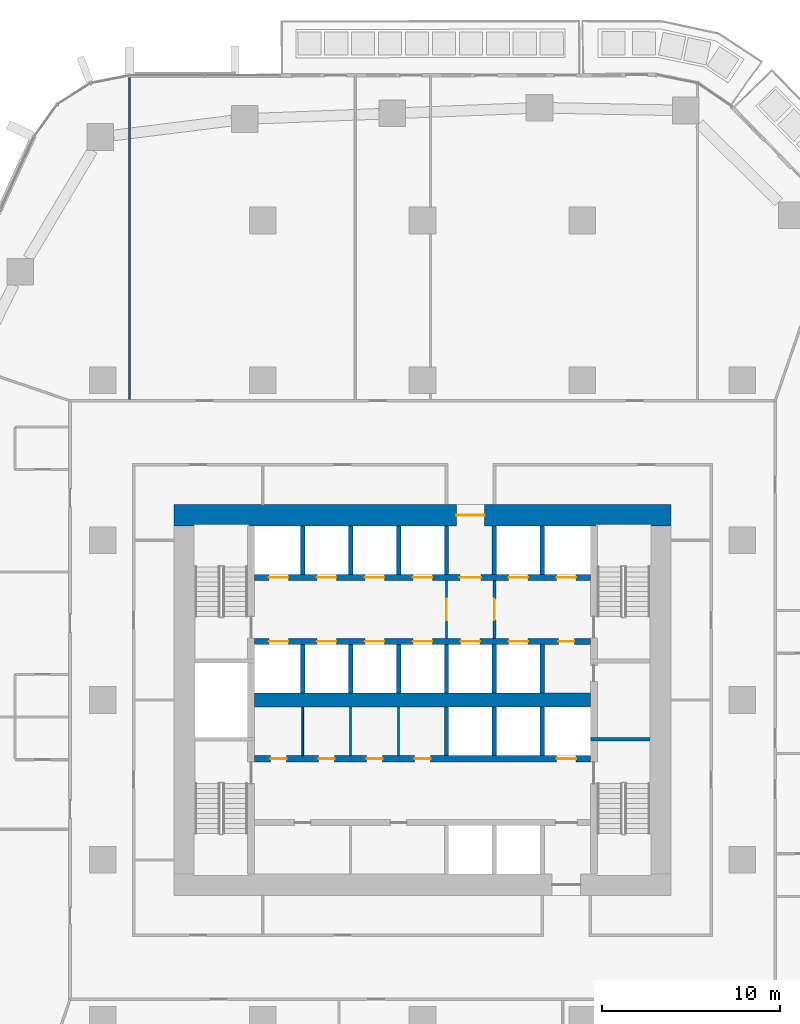
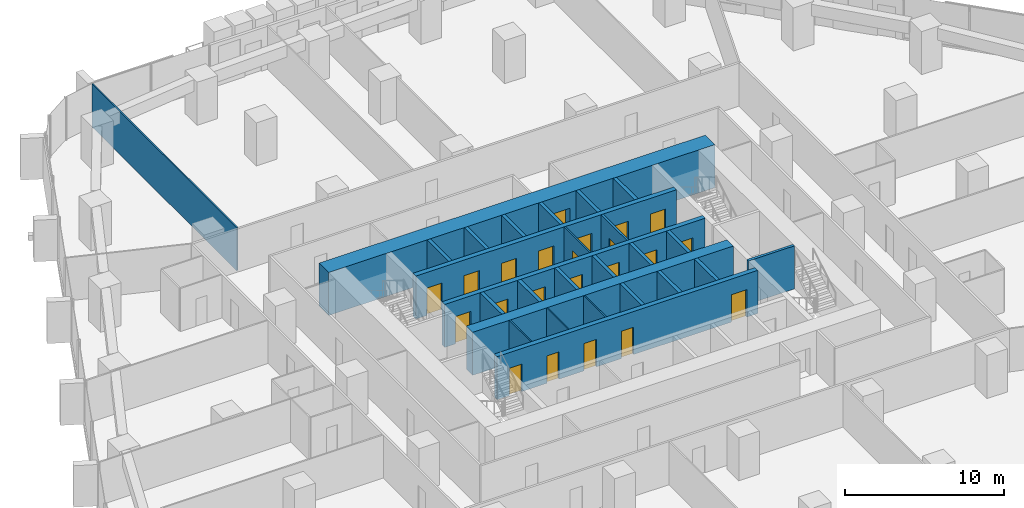
# One storey, part 15 of 26: 27 walls, 22 doors, 22 openings.
"""IFC4 building model written with IfcOpenShell, lengths in metres."""

import ifcopenshell
import ifcopenshell.guid

model = None  # the IFC model being written
_history = None  # IfcOwnerHistory: only IFC2X3 demands one
_inside = {}  # id of a spatial element -> (the spatial element, [elements in it])
_under = {}  # id of a project, library or spatial element -> (it, [spatial elements below it])
_declared = {}  # id of a project -> (the project, [libraries it declares])
_typed = {}  # id of a type object -> (the type object, [elements of that type])
_made_of = {}  # id of a material, layer set ... -> (it, [elements and type objects made of it])


def new_model(schema):
    """Start an empty IFC model of exactly this schema.

    Asked for "IFC4X3", IfcOpenShell would pick the latest addendum, in which some entities
    have other attributes; the version numbers below select the first issue.
    IFC2X3 requires an IfcOwnerHistory on every rooted entity: one is made here for all.
    """
    global model, _history
    if schema == "IFC4X3":
        model = ifcopenshell.file(schema_version=(4, 3, 0, 0))
    else:
        model = ifcopenshell.file(schema=schema)
    _inside.clear()
    _under.clear()
    _declared.clear()
    _typed.clear()
    _made_of.clear()
    _history = None
    if model.schema == "IFC2X3":
        org = make("IfcOrganization", Name="unknown")
        user = make(
            "IfcPersonAndOrganization",
            ThePerson=make("IfcPerson", FamilyName="unknown"),
            TheOrganization=org,
        )
        app = make(
            "IfcApplication",
            ApplicationDeveloper=org,
            Version="unknown",
            ApplicationFullName="unknown",
            ApplicationIdentifier="unknown",
        )
        _history = make(
            "IfcOwnerHistory",
            OwningUser=user,
            OwningApplication=app,
            ChangeAction="ADDED",
            CreationDate=0,
        )
    return model


def make(cls, **values):
    """One entity of the class cls with the attributes given. An attribute that is None is left unset."""
    return model.create_entity(
        cls, **{name: value for name, value in values.items() if value is not None}
    )


def rooted(cls, **values):
    """An entity with a GlobalId (a new one), such as an element, a storey or a relation."""
    return make(cls, GlobalId=ifcopenshell.guid.new(), OwnerHistory=_history, **values)


def si_unit(unit_type, name, prefix=None):
    """IfcSIUnit, for example si_unit("LENGTHUNIT", "METRE", prefix="MILLI")."""
    return make("IfcSIUnit", UnitType=unit_type, Prefix=prefix, Name=name)


def assignment(units):
    """IfcUnitAssignment: the units of a project."""
    return None if units is None else make("IfcUnitAssignment", Units=units)


def point(xyz):
    """IfcCartesianPoint."""
    return None if xyz is None else make("IfcCartesianPoint", Coordinates=xyz)


def direction(xyz):
    """IfcDirection."""
    return None if xyz is None else make("IfcDirection", DirectionRatios=xyz)


def frame(location, z_axis=None, x_axis=None):
    """IfcAxis2Placement3D, a coordinate frame: its origin and axes. An axis left out is left unset."""
    return make(
        "IfcAxis2Placement3D",
        Location=point(location),
        Axis=direction(z_axis),
        RefDirection=direction(x_axis),
    )


def frame_2d(location, x_axis=None):
    """IfcAxis2Placement2D, a coordinate frame in the plane: its origin and x axis."""
    return make(
        "IfcAxis2Placement2D", Location=point(location), RefDirection=direction(x_axis)
    )


def origin():
    """The frame at (0, 0, 0) with its axes left unset."""
    return frame((0.0, 0.0, 0.0))


def place(relative_to, where):
    """IfcLocalPlacement: puts the frame where relative to a parent placement (None: the world)."""
    return make(
        "IfcLocalPlacement", PlacementRelTo=relative_to, RelativePlacement=where
    )


def context(
    kind, dimensions, precision=None, world=None, true_north=None, identifier=None
):
    """IfcGeometricRepresentationContext, for example the 3D "Model" context."""
    return make(
        "IfcGeometricRepresentationContext",
        ContextIdentifier=identifier,
        ContextType=kind,
        CoordinateSpaceDimension=dimensions,
        Precision=precision,
        WorldCoordinateSystem=world,
        TrueNorth=true_north,
    )


def subcontext(parent, identifier, kind, view, scale=None):
    """IfcGeometricRepresentationSubContext, for example "Body" below "Model"."""
    return make(
        "IfcGeometricRepresentationSubContext",
        ContextIdentifier=identifier,
        ContextType=kind,
        ParentContext=parent,
        TargetScale=scale,
        TargetView=view,
    )


def project(units=None, contexts=None):
    """IfcProject with its units and contexts."""
    return rooted(
        "IfcProject",
        Name="project",
        RepresentationContexts=contexts,
        UnitsInContext=assignment(units),
    )


def spatial(cls, under=None, at=None, **own):
    """A site, building, storey or space (cls), placed at a placement, below another one or the project."""
    s = rooted(cls, ObjectPlacement=at, **own)
    if under is not None:
        _under.setdefault(under.id(), (under, []))[1].append(s)
    return s


def profile(cls, at=None, kind="AREA", **sizes):
    """A parametric profile (cls). Its sizes go by their IFC names, for example OverallWidth=200.0."""
    return make(cls, ProfileType=kind, Position=at, **sizes)


def rectangle(**sizes):
    """IfcRectangleProfileDef."""
    return profile("IfcRectangleProfileDef", **sizes)


def extrude(swept, where, along, depth):
    """IfcExtrudedAreaSolid: the profile swept, set in the frame where, extruded along a direction by depth."""
    return make(
        "IfcExtrudedAreaSolid",
        SweptArea=swept,
        Position=where,
        ExtrudedDirection=direction(along),
        Depth=depth,
    )


def shape(context_of_items, identifier, shape_type, items):
    """IfcShapeRepresentation: the items that make up one representation, for example the "Body"."""
    return make(
        "IfcShapeRepresentation",
        ContextOfItems=context_of_items,
        RepresentationIdentifier=identifier,
        RepresentationType=shape_type,
        Items=items,
    )


def material(Name=None, Category=None):
    """IfcMaterial."""
    return make("IfcMaterial", Name=Name, Category=Category)


def layer(
    of_material, thickness, ventilated=None, Name=None, Category=None, Priority=None
):
    """IfcMaterialLayer: one layer of a wall or slab, of a material (None: an air gap)."""
    return make(
        "IfcMaterialLayer",
        Material=of_material,
        LayerThickness=thickness,
        IsVentilated=ventilated,
        Name=Name,
        Category=Category,
        Priority=Priority,
    )


def layer_set(layers, Name=None):
    """IfcMaterialLayerSet."""
    return make("IfcMaterialLayerSet", MaterialLayers=layers, LayerSetName=Name)


def made_of(thing, what):
    """Note that an element or type object is made of a material, layer set ...; save() writes the relation."""
    if what is not None:
        _made_of.setdefault(what.id(), (what, []))[1].append(thing)
    return thing


def type_object(cls, material=None, **own):
    """A type object (cls), such as IfcWallType, which elements share."""
    return made_of(rooted(cls, **own), material)


def element(
    cls,
    number,
    at=None,
    inside=None,
    cuts=None,
    type_object=None,
    material=None,
    context=None,
    identifier="Body",
    shape_type=None,
    held_by="IfcProductDefinitionShape",
    body=None,
    shapes=None,
    **own,
):
    """One element of the class cls, such as IfcWall. Its Tag is "e" and its number.

    at: its placement. inside: the storey or other place that contains it. cuts: it is an
    opening in that element (IfcRelVoidsElement). A single representation is given by context,
    identifier, shape_type and body (its items); several are given by shapes. held_by: the class
    of the entity that holds the representations. save() writes the other relations.
    """
    e = rooted(cls, Tag="e%d" % number, ObjectPlacement=at, **own)
    if body is not None:
        shapes = [shape(context, identifier, shape_type, body)]
    if shapes is not None:
        e.Representation = make(held_by, Representations=shapes)
    if inside is not None:
        _inside.setdefault(inside.id(), (inside, []))[1].append(e)
    if cuts is not None:
        rooted(
            "IfcRelVoidsElement", RelatingBuildingElement=cuts, RelatedOpeningElement=e
        )
    if type_object is not None:
        _typed.setdefault(type_object.id(), (type_object, []))[1].append(e)
    return made_of(e, material)


def fill(opening, filler):
    """IfcRelFillsElement: the door or window that sits in an opening."""
    return rooted(
        "IfcRelFillsElement",
        RelatingOpeningElement=opening,
        RelatedBuildingElement=filler,
    )


def aggregate(whole, parts):
    """IfcRelAggregates: a whole, such as a stair, and the parts it consists of."""
    return rooted("IfcRelAggregates", RelatingObject=whole, RelatedObjects=parts)


def save(model, path):
    """Write the relations noted so far, then the file.

    IfcRelAggregates (storeys below a building ...), IfcRelContainedInSpatialStructure (elements
    in a storey), IfcRelDefinesByType, IfcRelAssociatesMaterial and IfcRelDeclares: one each for
    every whole, place, type object, material and project.
    """
    for whole, parts in _under.values():
        aggregate(whole, parts)
    for where, things in _inside.values():
        rooted(
            "IfcRelContainedInSpatialStructure",
            RelatedElements=things,
            RelatingStructure=where,
        )
    for kind, things in _typed.values():
        rooted("IfcRelDefinesByType", RelatedObjects=things, RelatingType=kind)
    for what, things in _made_of.values():
        rooted("IfcRelAssociatesMaterial", RelatedObjects=things, RelatingMaterial=what)
    for by, libraries in _declared.values():
        rooted("IfcRelDeclares", RelatingContext=by, RelatedDefinitions=libraries)
    model.write(path)


model = new_model("IFC4")

# Units and contexts
model_context = context("Model", 3, precision=1e-05, world=origin(), true_north=direction((0.0, 1.0)))
body_context = subcontext(model_context, "Body", "Model", "MODEL_VIEW")
ifc_project = project(units=[si_unit("LENGTHUNIT", "METRE"), si_unit("AREAUNIT", "SQUARE_METRE"), si_unit("VOLUMEUNIT", "CUBIC_METRE"), si_unit("PLANEANGLEUNIT", "RADIAN"), si_unit("MASSUNIT", "GRAM", prefix="KILO")], contexts=[model_context])

# Site, building, storey
site_placement = place(None, origin())
site = spatial("IfcSite", under=ifc_project, at=site_placement, CompositionType="ELEMENT")
building_placement = place(site_placement, origin())
building = spatial("IfcBuilding", under=site, at=building_placement, Name="Dongbaek Canopy Tower", CompositionType="ELEMENT")
storey_placement = place(building_placement, frame((0.0, 0.0, 69.89990234375)))
storey = spatial("IfcBuildingStorey", under=building, at=storey_placement, Name="L13", CompositionType="ELEMENT", Elevation=69.89990234375)

# Wall
ifc_material_1 = material(Name="Concrete C60/75", Category="concrete")
ifc_layer_1 = layer(ifc_material_1, 0.800048828125)
ifc_layer_set_1 = layer_set([ifc_layer_1], Name="Core central wall 800 Concrete C60/75")
wall_type_1 = type_object("IfcWallType", Name="Core central wall 800 Concrete C60/75", PredefinedType="SHEAR", material=ifc_layer_set_1)
wall_1_placement = place(storey_placement, frame((-9.449951171875, 0.0, 0.0), z_axis=(0.0, 0.0, 1.0), x_axis=(1.0, 0.0, 0.0)))
element("IfcWall", 1, at=wall_1_placement, inside=storey, type_object=wall_type_1, Name="Core wall", PredefinedType="SHEAR", context=body_context, shape_type="SweptSolid", body=[
    extrude(rectangle(XDim=18.89990234375, YDim=0.800048828125, at=frame_2d((9.449951171875, 0.0))), origin(), (0.0, 0.0, 1.0), 3.300048828125),
])

# Wall, openings, doors
ifc_material_2 = material(Name="Concrete C60/75", Category="concrete")
ifc_layer_2 = layer(ifc_material_2, 0.35009765625)
ifc_layer_set_2 = layer_set([ifc_layer_2], Name="Core lobby wall 350 Concrete C60/75")
wall_type_2 = type_object("IfcWallType", Name="Core lobby wall 350 Concrete C60/75", PredefinedType="SHEAR", material=ifc_layer_set_2)
wall_2_placement = place(storey_placement, frame((-9.449951171875, 6.89990234375, 0.0), z_axis=(0.0, 0.0, 1.0), x_axis=(1.0, 0.0, 0.0)))
wall_2 = element("IfcWall", 2, at=wall_2_placement, inside=storey, type_object=wall_type_2, Name="Core wall", PredefinedType="SHEAR", context=body_context, shape_type="SweptSolid", body=[
    extrude(rectangle(XDim=18.89990234375, YDim=0.35009765625, at=frame_2d((9.449951171875, 0.0))), origin(), (0.0, 0.0, 1.0), 3.300048828125),
])
opening_1_placement = place(wall_2_placement, frame((0.800048828125, 0.0, 0.0)))
opening_1 = element("IfcOpeningElement", 3, at=opening_1_placement, cuts=wall_2, Name="Opening L13-D028", PredefinedType="OPENING", context=body_context, shape_type="SweptSolid", body=[
    extrude(rectangle(XDim=1.10009765625, YDim=2.10009765625, at=frame_2d((0.550048828125, 1.050048828125))), frame((0.0, 0.18505859375, 0.0), z_axis=(0.0, -1.0, 0.0), x_axis=(1.0, 0.0, 0.0)), (0.0, 0.0, 1.0), 0.3701171875),
])
opening_2_placement = place(wall_2_placement, frame((3.5, 0.0, 0.0)))
opening_2 = element("IfcOpeningElement", 4, at=opening_2_placement, cuts=wall_2, Name="Opening L13-D029", PredefinedType="OPENING", context=body_context, shape_type="SweptSolid", body=[
    extrude(rectangle(XDim=1.10009765625, YDim=2.10009765625, at=frame_2d((0.550048828125, 1.050048828125))), frame((0.0, 0.18505859375, 0.0), z_axis=(0.0, -1.0, 0.0), x_axis=(1.0, 0.0, 0.0)), (0.0, 0.0, 1.0), 0.3701171875),
])
opening_3_placement = place(wall_2_placement, frame((6.199951171875, 0.0, 0.0)))
opening_3 = element("IfcOpeningElement", 5, at=opening_3_placement, cuts=wall_2, Name="Opening L13-D030", PredefinedType="OPENING", context=body_context, shape_type="SweptSolid", body=[
    extrude(rectangle(XDim=1.10009765625, YDim=2.10009765625, at=frame_2d((0.550048828125, 1.050048828125))), frame((0.0, 0.18505859375, 0.0), z_axis=(0.0, -1.0, 0.0), x_axis=(1.0, 0.0, 0.0)), (0.0, 0.0, 1.0), 0.3701171875),
])
opening_4_placement = place(wall_2_placement, frame((8.89990234375, 0.0, 0.0)))
opening_4 = element("IfcOpeningElement", 6, at=opening_4_placement, cuts=wall_2, Name="Opening L13-D031", PredefinedType="OPENING", context=body_context, shape_type="SweptSolid", body=[
    extrude(rectangle(XDim=1.10009765625, YDim=2.10009765625, at=frame_2d((0.550048828125, 1.050048828125))), frame((0.0, 0.18505859375, 0.0), z_axis=(0.0, -1.0, 0.0), x_axis=(1.0, 0.0, 0.0)), (0.0, 0.0, 1.0), 0.3701171875),
])
opening_5_placement = place(wall_2_placement, frame((11.550048828125, 0.0, 0.0)))
opening_5 = element("IfcOpeningElement", 7, at=opening_5_placement, cuts=wall_2, Name="Opening L13-D033", PredefinedType="OPENING", context=body_context, shape_type="SweptSolid", body=[
    extrude(rectangle(XDim=1.199951171875, YDim=2.10009765625, at=frame_2d((0.60009765625, 1.050048828125))), frame((0.0, 0.18505859375, 0.0), z_axis=(0.0, -1.0, 0.0), x_axis=(1.0, 0.0, 0.0)), (0.0, 0.0, 1.0), 0.3701171875),
])
opening_6_placement = place(wall_2_placement, frame((14.300048828125, 0.0, 0.0)))
opening_6 = element("IfcOpeningElement", 8, at=opening_6_placement, cuts=wall_2, Name="Opening L13-D034", PredefinedType="OPENING", context=body_context, shape_type="SweptSolid", body=[
    extrude(rectangle(XDim=1.10009765625, YDim=2.10009765625, at=frame_2d((0.550048828125, 1.050048828125))), frame((0.0, 0.18505859375, 0.0), z_axis=(0.0, -1.0, 0.0), x_axis=(1.0, 0.0, 0.0)), (0.0, 0.0, 1.0), 0.3701171875),
])
opening_7_placement = place(wall_2_placement, frame((17.0, 0.0, 0.0)))
opening_7 = element("IfcOpeningElement", 9, at=opening_7_placement, cuts=wall_2, Name="Opening L13-D035", PredefinedType="OPENING", context=body_context, shape_type="SweptSolid", body=[
    extrude(rectangle(XDim=1.10009765625, YDim=2.10009765625, at=frame_2d((0.550048828125, 1.050048828125))), frame((0.0, 0.18505859375, 0.0), z_axis=(0.0, -1.0, 0.0), x_axis=(1.0, 0.0, 0.0)), (0.0, 0.0, 1.0), 0.3701171875),
])
ifc_material_3 = material(Name="Steel", Category="steel")
door_type_1 = type_object("IfcDoorType", Name="Fire lobby door 1200 x 2100", OperationType="SINGLE_SWING_LEFT", PredefinedType="DOOR", material=ifc_material_3)
door_1_placement = place(opening_5_placement, origin())
door_1 = element("IfcDoor", 10, at=door_1_placement, inside=storey, type_object=door_type_1, Name="Door L13-D033", OperationType="SINGLE_SWING_LEFT", OverallHeight=2.10009765625, OverallWidth=1.199951171875, PredefinedType="DOOR", context=body_context, shape_type="SweptSolid", body=[
    extrude(rectangle(XDim=1.199951171875, YDim=2.10009765625, at=frame_2d((0.60009765625, 1.050048828125))), frame((0.0, 0.02490234375, 0.0), z_axis=(0.0, -1.0, 0.0), x_axis=(1.0, 0.0, 0.0)), (0.0, 0.0, 1.0), 0.050048828125),
])
fill(opening_5, door_1)
ifc_material_4 = material(Name="Stainless steel", Category="steel")
door_type_2 = type_object("IfcDoorType", Name="Lift landing door 1100 x 2100", OperationType="DOUBLE_DOOR_SLIDING", PredefinedType="DOOR", material=ifc_material_4)
door_2_placement = place(opening_1_placement, origin())
door_2 = element("IfcDoor", 11, at=door_2_placement, inside=storey, type_object=door_type_2, Name="Landing door LR1", OperationType="DOUBLE_DOOR_SLIDING", OverallHeight=2.10009765625, OverallWidth=1.10009765625, PredefinedType="DOOR", context=body_context, shape_type="SweptSolid", body=[
    extrude(rectangle(XDim=1.10009765625, YDim=2.10009765625, at=frame_2d((0.550048828125, 1.050048828125))), frame((0.0, 0.02490234375, 0.0), z_axis=(0.0, -1.0, 0.0), x_axis=(1.0, 0.0, 0.0)), (0.0, 0.0, 1.0), 0.050048828125),
])
fill(opening_1, door_2)
door_3_placement = place(opening_2_placement, origin())
door_3 = element("IfcDoor", 12, at=door_3_placement, inside=storey, type_object=door_type_2, Name="Landing door LR2", OperationType="DOUBLE_DOOR_SLIDING", OverallHeight=2.10009765625, OverallWidth=1.10009765625, PredefinedType="DOOR", context=body_context, shape_type="SweptSolid", body=[
    extrude(rectangle(XDim=1.10009765625, YDim=2.10009765625, at=frame_2d((0.550048828125, 1.050048828125))), frame((0.0, 0.02490234375, 0.0), z_axis=(0.0, -1.0, 0.0), x_axis=(1.0, 0.0, 0.0)), (0.0, 0.0, 1.0), 0.050048828125),
])
fill(opening_2, door_3)
door_4_placement = place(opening_3_placement, origin())
door_4 = element("IfcDoor", 13, at=door_4_placement, inside=storey, type_object=door_type_2, Name="Landing door LR3", OperationType="DOUBLE_DOOR_SLIDING", OverallHeight=2.10009765625, OverallWidth=1.10009765625, PredefinedType="DOOR", context=body_context, shape_type="SweptSolid", body=[
    extrude(rectangle(XDim=1.10009765625, YDim=2.10009765625, at=frame_2d((0.550048828125, 1.050048828125))), frame((0.0, 0.02490234375, 0.0), z_axis=(0.0, -1.0, 0.0), x_axis=(1.0, 0.0, 0.0)), (0.0, 0.0, 1.0), 0.050048828125),
])
fill(opening_3, door_4)
door_5_placement = place(opening_4_placement, origin())
door_5 = element("IfcDoor", 14, at=door_5_placement, inside=storey, type_object=door_type_2, Name="Landing door LR4", OperationType="DOUBLE_DOOR_SLIDING", OverallHeight=2.10009765625, OverallWidth=1.10009765625, PredefinedType="DOOR", context=body_context, shape_type="SweptSolid", body=[
    extrude(rectangle(XDim=1.10009765625, YDim=2.10009765625, at=frame_2d((0.550048828125, 1.050048828125))), frame((0.0, 0.02490234375, 0.0), z_axis=(0.0, -1.0, 0.0), x_axis=(1.0, 0.0, 0.0)), (0.0, 0.0, 1.0), 0.050048828125),
])
fill(opening_4, door_5)
door_6_placement = place(opening_6_placement, origin())
door_6 = element("IfcDoor", 15, at=door_6_placement, inside=storey, type_object=door_type_2, Name="Landing door FF1", OperationType="DOUBLE_DOOR_SLIDING", OverallHeight=2.10009765625, OverallWidth=1.10009765625, PredefinedType="DOOR", context=body_context, shape_type="SweptSolid", body=[
    extrude(rectangle(XDim=1.10009765625, YDim=2.10009765625, at=frame_2d((0.550048828125, 1.050048828125))), frame((0.0, 0.02490234375, 0.0), z_axis=(0.0, -1.0, 0.0), x_axis=(1.0, 0.0, 0.0)), (0.0, 0.0, 1.0), 0.050048828125),
])
fill(opening_6, door_6)
door_7_placement = place(opening_7_placement, origin())
door_7 = element("IfcDoor", 16, at=door_7_placement, inside=storey, type_object=door_type_2, Name="Landing door FF2", OperationType="DOUBLE_DOOR_SLIDING", OverallHeight=2.10009765625, OverallWidth=1.10009765625, PredefinedType="DOOR", context=body_context, shape_type="SweptSolid", body=[
    extrude(rectangle(XDim=1.10009765625, YDim=2.10009765625, at=frame_2d((0.550048828125, 1.050048828125))), frame((0.0, 0.02490234375, 0.0), z_axis=(0.0, -1.0, 0.0), x_axis=(1.0, 0.0, 0.0)), (0.0, 0.0, 1.0), 0.050048828125),
])
fill(opening_7, door_7)

wall_3_placement = place(storey_placement, frame((9.449951171875, 3.300048828125, 0.0), z_axis=(0.0, 0.0, 1.0), x_axis=(-1.0, 0.0, 0.0)))
wall_3 = element("IfcWall", 17, at=wall_3_placement, inside=storey, type_object=wall_type_2, Name="Core wall", PredefinedType="SHEAR", context=body_context, shape_type="SweptSolid", body=[
    extrude(rectangle(XDim=18.89990234375, YDim=0.35009765625, at=frame_2d((9.449951171875, 0.0))), origin(), (0.0, 0.0, 1.0), 3.300048828125),
])
opening_8_placement = place(wall_3_placement, frame((17.0, 0.0, 0.0)))
opening_8 = element("IfcOpeningElement", 18, at=opening_8_placement, cuts=wall_3, Name="Opening L13-D036", PredefinedType="OPENING", context=body_context, shape_type="SweptSolid", body=[
    extrude(rectangle(XDim=1.10009765625, YDim=2.10009765625, at=frame_2d((0.550048828125, 1.050048828125))), frame((0.0, 0.18505859375, 0.0), z_axis=(0.0, -1.0, 0.0), x_axis=(1.0, 0.0, 0.0)), (0.0, 0.0, 1.0), 0.3701171875),
])
opening_9_placement = place(wall_3_placement, frame((14.300048828125, 0.0, 0.0)))
opening_9 = element("IfcOpeningElement", 19, at=opening_9_placement, cuts=wall_3, Name="Opening L13-D037", PredefinedType="OPENING", context=body_context, shape_type="SweptSolid", body=[
    extrude(rectangle(XDim=1.10009765625, YDim=2.10009765625, at=frame_2d((0.550048828125, 1.050048828125))), frame((0.0, 0.18505859375, 0.0), z_axis=(0.0, -1.0, 0.0), x_axis=(1.0, 0.0, 0.0)), (0.0, 0.0, 1.0), 0.3701171875),
])
opening_10_placement = place(wall_3_placement, frame((11.60009765625, 0.0, 0.0)))
opening_10 = element("IfcOpeningElement", 20, at=opening_10_placement, cuts=wall_3, Name="Opening L13-D038", PredefinedType="OPENING", context=body_context, shape_type="SweptSolid", body=[
    extrude(rectangle(XDim=1.10009765625, YDim=2.10009765625, at=frame_2d((0.550048828125, 1.050048828125))), frame((0.0, 0.18505859375, 0.0), z_axis=(0.0, -1.0, 0.0), x_axis=(1.0, 0.0, 0.0)), (0.0, 0.0, 1.0), 0.3701171875),
])
opening_11_placement = place(wall_3_placement, frame((8.89990234375, 0.0, 0.0)))
opening_11 = element("IfcOpeningElement", 21, at=opening_11_placement, cuts=wall_3, Name="Opening L13-D039", PredefinedType="OPENING", context=body_context, shape_type="SweptSolid", body=[
    extrude(rectangle(XDim=1.10009765625, YDim=2.10009765625, at=frame_2d((0.550048828125, 1.050048828125))), frame((0.0, 0.18505859375, 0.0), z_axis=(0.0, -1.0, 0.0), x_axis=(1.0, 0.0, 0.0)), (0.0, 0.0, 1.0), 0.3701171875),
])
opening_12_placement = place(wall_3_placement, frame((6.199951171875, 0.0, 0.0)))
opening_12 = element("IfcOpeningElement", 22, at=opening_12_placement, cuts=wall_3, Name="Opening L13-D040", PredefinedType="OPENING", context=body_context, shape_type="SweptSolid", body=[
    extrude(rectangle(XDim=1.10009765625, YDim=2.10009765625, at=frame_2d((0.550048828125, 1.050048828125))), frame((0.0, 0.18505859375, 0.0), z_axis=(0.0, -1.0, 0.0), x_axis=(1.0, 0.0, 0.0)), (0.0, 0.0, 1.0), 0.3701171875),
])
opening_13_placement = place(wall_3_placement, frame((3.5, 0.0, 0.0)))
opening_13 = element("IfcOpeningElement", 23, at=opening_13_placement, cuts=wall_3, Name="Opening L13-D041", PredefinedType="OPENING", context=body_context, shape_type="SweptSolid", body=[
    extrude(rectangle(XDim=1.10009765625, YDim=2.10009765625, at=frame_2d((0.550048828125, 1.050048828125))), frame((0.0, 0.18505859375, 0.0), z_axis=(0.0, -1.0, 0.0), x_axis=(1.0, 0.0, 0.0)), (0.0, 0.0, 1.0), 0.3701171875),
])
opening_14_placement = place(wall_3_placement, frame((0.89990234375, 0.0, 0.0)))
opening_14 = element("IfcOpeningElement", 24, at=opening_14_placement, cuts=wall_3, Name="Opening L13-D042", PredefinedType="OPENING", context=body_context, shape_type="SweptSolid", body=[
    extrude(rectangle(XDim=0.89990234375, YDim=2.10009765625, at=frame_2d((0.449951171875, 1.050048828125))), frame((0.0, 0.18505859375, 0.0), z_axis=(0.0, -1.0, 0.0), x_axis=(1.0, 0.0, 0.0)), (0.0, 0.0, 1.0), 0.3701171875),
])
ifc_material_5 = material(Name="Steel", Category="steel")
door_type_3 = type_object("IfcDoorType", Name="Core room door 900 x 2100", OperationType="SINGLE_SWING_LEFT", PredefinedType="DOOR", material=ifc_material_5)
door_8_placement = place(opening_14_placement, origin())
door_8 = element("IfcDoor", 25, at=door_8_placement, inside=storey, type_object=door_type_3, Name="Door L13-D042", OperationType="SINGLE_SWING_LEFT", OverallHeight=2.10009765625, OverallWidth=0.89990234375, PredefinedType="DOOR", context=body_context, shape_type="SweptSolid", body=[
    extrude(rectangle(XDim=0.89990234375, YDim=2.10009765625, at=frame_2d((0.449951171875, 1.050048828125))), frame((0.0, 0.02490234375, 0.0), z_axis=(0.0, -1.0, 0.0), x_axis=(1.0, 0.0, 0.0)), (0.0, 0.0, 1.0), 0.050048828125),
])
fill(opening_14, door_8)
door_9_placement = place(opening_8_placement, origin())
door_9 = element("IfcDoor", 26, at=door_9_placement, inside=storey, type_object=door_type_2, Name="Landing door LR5", OperationType="DOUBLE_DOOR_SLIDING", OverallHeight=2.10009765625, OverallWidth=1.10009765625, PredefinedType="DOOR", context=body_context, shape_type="SweptSolid", body=[
    extrude(rectangle(XDim=1.10009765625, YDim=2.10009765625, at=frame_2d((0.550048828125, 1.050048828125))), frame((0.0, 0.02490234375, 0.0), z_axis=(0.0, -1.0, 0.0), x_axis=(1.0, 0.0, 0.0)), (0.0, 0.0, 1.0), 0.050048828125),
])
fill(opening_8, door_9)
door_10_placement = place(opening_9_placement, origin())
door_10 = element("IfcDoor", 27, at=door_10_placement, inside=storey, type_object=door_type_2, Name="Landing door LR6", OperationType="DOUBLE_DOOR_SLIDING", OverallHeight=2.10009765625, OverallWidth=1.10009765625, PredefinedType="DOOR", context=body_context, shape_type="SweptSolid", body=[
    extrude(rectangle(XDim=1.10009765625, YDim=2.10009765625, at=frame_2d((0.550048828125, 1.050048828125))), frame((0.0, 0.02490234375, 0.0), z_axis=(0.0, -1.0, 0.0), x_axis=(1.0, 0.0, 0.0)), (0.0, 0.0, 1.0), 0.050048828125),
])
fill(opening_9, door_10)
door_11_placement = place(opening_10_placement, origin())
door_11 = element("IfcDoor", 28, at=door_11_placement, inside=storey, type_object=door_type_2, Name="Landing door LR7", OperationType="DOUBLE_DOOR_SLIDING", OverallHeight=2.10009765625, OverallWidth=1.10009765625, PredefinedType="DOOR", context=body_context, shape_type="SweptSolid", body=[
    extrude(rectangle(XDim=1.10009765625, YDim=2.10009765625, at=frame_2d((0.550048828125, 1.050048828125))), frame((0.0, 0.02490234375, 0.0), z_axis=(0.0, -1.0, 0.0), x_axis=(1.0, 0.0, 0.0)), (0.0, 0.0, 1.0), 0.050048828125),
])
fill(opening_10, door_11)
door_12_placement = place(opening_11_placement, origin())
door_12 = element("IfcDoor", 29, at=door_12_placement, inside=storey, type_object=door_type_2, Name="Landing door LR8", OperationType="DOUBLE_DOOR_SLIDING", OverallHeight=2.10009765625, OverallWidth=1.10009765625, PredefinedType="DOOR", context=body_context, shape_type="SweptSolid", body=[
    extrude(rectangle(XDim=1.10009765625, YDim=2.10009765625, at=frame_2d((0.550048828125, 1.050048828125))), frame((0.0, 0.02490234375, 0.0), z_axis=(0.0, -1.0, 0.0), x_axis=(1.0, 0.0, 0.0)), (0.0, 0.0, 1.0), 0.050048828125),
])
fill(opening_11, door_12)
door_13_placement = place(opening_12_placement, origin())
door_13 = element("IfcDoor", 30, at=door_13_placement, inside=storey, type_object=door_type_2, Name="Landing door SV1", OperationType="DOUBLE_DOOR_SLIDING", OverallHeight=2.10009765625, OverallWidth=1.10009765625, PredefinedType="DOOR", context=body_context, shape_type="SweptSolid", body=[
    extrude(rectangle(XDim=1.10009765625, YDim=2.10009765625, at=frame_2d((0.550048828125, 1.050048828125))), frame((0.0, 0.02490234375, 0.0), z_axis=(0.0, -1.0, 0.0), x_axis=(1.0, 0.0, 0.0)), (0.0, 0.0, 1.0), 0.050048828125),
])
fill(opening_12, door_13)
door_14_placement = place(opening_13_placement, origin())
door_14 = element("IfcDoor", 31, at=door_14_placement, inside=storey, type_object=door_type_2, Name="Landing door FF3", OperationType="DOUBLE_DOOR_SLIDING", OverallHeight=2.10009765625, OverallWidth=1.10009765625, PredefinedType="DOOR", context=body_context, shape_type="SweptSolid", body=[
    extrude(rectangle(XDim=1.10009765625, YDim=2.10009765625, at=frame_2d((0.550048828125, 1.050048828125))), frame((0.0, 0.02490234375, 0.0), z_axis=(0.0, -1.0, 0.0), x_axis=(1.0, 0.0, 0.0)), (0.0, 0.0, 1.0), 0.050048828125),
])
fill(opening_13, door_14)

wall_4_placement = place(storey_placement, frame((-9.449951171875, -3.300048828125, 0.0), z_axis=(0.0, 0.0, 1.0), x_axis=(1.0, 0.0, 0.0)))
wall_4 = element("IfcWall", 32, at=wall_4_placement, inside=storey, type_object=wall_type_2, Name="Core wall", PredefinedType="SHEAR", context=body_context, shape_type="SweptSolid", body=[
    extrude(rectangle(XDim=18.89990234375, YDim=0.35009765625, at=frame_2d((9.449951171875, 0.0))), origin(), (0.0, 0.0, 1.0), 3.300048828125),
])
opening_15_placement = place(wall_4_placement, frame((17.0, 0.0, 0.0)))
opening_15 = element("IfcOpeningElement", 33, at=opening_15_placement, cuts=wall_4, Name="Opening L13-D043", PredefinedType="OPENING", context=body_context, shape_type="SweptSolid", body=[
    extrude(rectangle(XDim=1.10009765625, YDim=2.10009765625, at=frame_2d((0.550048828125, 1.050048828125))), frame((0.0, 0.18505859375, 0.0), z_axis=(0.0, -1.0, 0.0), x_axis=(1.0, 0.0, 0.0)), (0.0, 0.0, 1.0), 0.3701171875),
])
opening_16_placement = place(wall_4_placement, frame((0.89990234375, 0.0, 0.0)))
opening_16 = element("IfcOpeningElement", 34, at=opening_16_placement, cuts=wall_4, Name="Opening L13-D046", PredefinedType="OPENING", context=body_context, shape_type="SweptSolid", body=[
    extrude(rectangle(XDim=0.89990234375, YDim=2.10009765625, at=frame_2d((0.449951171875, 1.050048828125))), frame((0.0, 0.18505859375, 0.0), z_axis=(0.0, -1.0, 0.0), x_axis=(1.0, 0.0, 0.0)), (0.0, 0.0, 1.0), 0.3701171875),
])
opening_17_placement = place(wall_4_placement, frame((3.60009765625, 0.0, 0.0)))
opening_17 = element("IfcOpeningElement", 35, at=opening_17_placement, cuts=wall_4, Name="Opening L13-D047", PredefinedType="OPENING", context=body_context, shape_type="SweptSolid", body=[
    extrude(rectangle(XDim=0.89990234375, YDim=2.10009765625, at=frame_2d((0.449951171875, 1.050048828125))), frame((0.0, 0.18505859375, 0.0), z_axis=(0.0, -1.0, 0.0), x_axis=(1.0, 0.0, 0.0)), (0.0, 0.0, 1.0), 0.3701171875),
])
opening_18_placement = place(wall_4_placement, frame((6.300048828125, 0.0, 0.0)))
opening_18 = element("IfcOpeningElement", 36, at=opening_18_placement, cuts=wall_4, Name="Opening L13-D048", PredefinedType="OPENING", context=body_context, shape_type="SweptSolid", body=[
    extrude(rectangle(XDim=0.89990234375, YDim=2.10009765625, at=frame_2d((0.449951171875, 1.050048828125))), frame((0.0, 0.18505859375, 0.0), z_axis=(0.0, -1.0, 0.0), x_axis=(1.0, 0.0, 0.0)), (0.0, 0.0, 1.0), 0.3701171875),
])
opening_19_placement = place(wall_4_placement, frame((9.0, 0.0, 0.0)))
opening_19 = element("IfcOpeningElement", 37, at=opening_19_placement, cuts=wall_4, Name="Opening L13-D049", PredefinedType="OPENING", context=body_context, shape_type="SweptSolid", body=[
    extrude(rectangle(XDim=0.89990234375, YDim=2.10009765625, at=frame_2d((0.449951171875, 1.050048828125))), frame((0.0, 0.18505859375, 0.0), z_axis=(0.0, -1.0, 0.0), x_axis=(1.0, 0.0, 0.0)), (0.0, 0.0, 1.0), 0.3701171875),
])
door_15_placement = place(opening_16_placement, origin())
door_15 = element("IfcDoor", 38, at=door_15_placement, inside=storey, type_object=door_type_3, Name="Door L13-D046", OperationType="SINGLE_SWING_RIGHT", OverallHeight=2.10009765625, OverallWidth=0.89990234375, PredefinedType="DOOR", context=body_context, shape_type="SweptSolid", body=[
    extrude(rectangle(XDim=0.89990234375, YDim=2.10009765625, at=frame_2d((0.449951171875, 1.050048828125))), frame((0.0, 0.02490234375, 0.0), z_axis=(0.0, -1.0, 0.0), x_axis=(1.0, 0.0, 0.0)), (0.0, 0.0, 1.0), 0.050048828125),
])
fill(opening_16, door_15)
door_16_placement = place(opening_17_placement, origin())
door_16 = element("IfcDoor", 39, at=door_16_placement, inside=storey, type_object=door_type_3, Name="Door L13-D047", OperationType="SINGLE_SWING_LEFT", OverallHeight=2.10009765625, OverallWidth=0.89990234375, PredefinedType="DOOR", context=body_context, shape_type="SweptSolid", body=[
    extrude(rectangle(XDim=0.89990234375, YDim=2.10009765625, at=frame_2d((0.449951171875, 1.050048828125))), frame((0.0, 0.02490234375, 0.0), z_axis=(0.0, -1.0, 0.0), x_axis=(1.0, 0.0, 0.0)), (0.0, 0.0, 1.0), 0.050048828125),
])
fill(opening_17, door_16)
door_17_placement = place(opening_18_placement, origin())
door_17 = element("IfcDoor", 40, at=door_17_placement, inside=storey, type_object=door_type_3, Name="Door L13-D048", OperationType="SINGLE_SWING_RIGHT", OverallHeight=2.10009765625, OverallWidth=0.89990234375, PredefinedType="DOOR", context=body_context, shape_type="SweptSolid", body=[
    extrude(rectangle(XDim=0.89990234375, YDim=2.10009765625, at=frame_2d((0.449951171875, 1.050048828125))), frame((0.0, 0.02490234375, 0.0), z_axis=(0.0, -1.0, 0.0), x_axis=(1.0, 0.0, 0.0)), (0.0, 0.0, 1.0), 0.050048828125),
])
fill(opening_18, door_17)
door_18_placement = place(opening_19_placement, origin())
door_18 = element("IfcDoor", 41, at=door_18_placement, inside=storey, type_object=door_type_3, Name="Door L13-D049", OperationType="SINGLE_SWING_LEFT", OverallHeight=2.10009765625, OverallWidth=0.89990234375, PredefinedType="DOOR", context=body_context, shape_type="SweptSolid", body=[
    extrude(rectangle(XDim=0.89990234375, YDim=2.10009765625, at=frame_2d((0.449951171875, 1.050048828125))), frame((0.0, 0.02490234375, 0.0), z_axis=(0.0, -1.0, 0.0), x_axis=(1.0, 0.0, 0.0)), (0.0, 0.0, 1.0), 0.050048828125),
])
fill(opening_19, door_18)
door_19_placement = place(opening_15_placement, origin())
door_19 = element("IfcDoor", 42, at=door_19_placement, inside=storey, type_object=door_type_2, Name="Landing door SV2", OperationType="DOUBLE_DOOR_SLIDING", OverallHeight=2.10009765625, OverallWidth=1.10009765625, PredefinedType="DOOR", context=body_context, shape_type="SweptSolid", body=[
    extrude(rectangle(XDim=1.10009765625, YDim=2.10009765625, at=frame_2d((0.550048828125, 1.050048828125))), frame((0.0, 0.02490234375, 0.0), z_axis=(0.0, -1.0, 0.0), x_axis=(1.0, 0.0, 0.0)), (0.0, 0.0, 1.0), 0.050048828125),
])
fill(opening_15, door_19)

# Wall, opening, door
ifc_material_6 = material(Name="Concrete C60/75", Category="concrete")
ifc_layer_3 = layer(ifc_material_6, 1.199951171875)
ifc_layer_set_3 = layer_set([ifc_layer_3], Name="Core outer wall 1200 Concrete C60/75")
wall_type_3 = type_object("IfcWallType", Name="Core outer wall 1200 Concrete C60/75", PredefinedType="SHEAR", material=ifc_layer_set_3)
wall_5_placement = place(storey_placement, frame((-14.0, 10.39990234375, 0.0), z_axis=(0.0, 0.0, 1.0), x_axis=(1.0, 0.0, 0.0)))
wall_5 = element("IfcWall", 43, at=wall_5_placement, inside=storey, type_object=wall_type_3, Name="Core wall", PredefinedType="SHEAR", context=body_context, shape_type="SweptSolid", body=[
    extrude(rectangle(XDim=28.0, YDim=1.199951171875, at=frame_2d((14.0, 0.0))), origin(), (0.0, 0.0, 1.0), 3.300048828125),
])
opening_20_placement = place(wall_5_placement, frame((15.89990234375, 0.0, 0.0)))
opening_20 = element("IfcOpeningElement", 44, at=opening_20_placement, cuts=wall_5, Name="Opening L13-D032", PredefinedType="OPENING", context=body_context, shape_type="SweptSolid", body=[
    extrude(rectangle(XDim=1.60009765625, YDim=2.10009765625, at=frame_2d((0.800048828125, 1.050048828125))), frame((0.0, 0.60986328125, 0.0), z_axis=(0.0, -1.0, 0.0), x_axis=(1.0, 0.0, 0.0)), (0.0, 0.0, 1.0), 1.219970703125),
])
ifc_material_7 = material(Name="Steel", Category="steel")
door_type_4 = type_object("IfcDoorType", Name="Core exit door 1600 x 2100", OperationType="DOUBLE_DOOR_SINGLE_SWING", PredefinedType="DOOR", material=ifc_material_7)
door_20_placement = place(opening_20_placement, origin())
door_20 = element("IfcDoor", 45, at=door_20_placement, inside=storey, type_object=door_type_4, Name="Core exit door", OperationType="DOUBLE_DOOR_SINGLE_SWING", OverallHeight=2.10009765625, OverallWidth=1.60009765625, PredefinedType="DOOR", context=body_context, shape_type="SweptSolid", body=[
    extrude(rectangle(XDim=1.60009765625, YDim=2.10009765625, at=frame_2d((0.800048828125, 1.050048828125))), frame((0.0, 0.02490234375, 0.0), z_axis=(0.0, -1.0, 0.0), x_axis=(1.0, 0.0, 0.0)), (0.0, 0.0, 1.0), 0.050048828125),
])
fill(opening_20, door_20)

ifc_material_8 = material(Name="Gypsum board partition, steel stud, 2 x 15 mm fire board", Category="steel")
ifc_layer_4 = layer(ifc_material_8, 0.14990234375)
ifc_layer_set_4 = layer_set([ifc_layer_4], Name="Fire-rated partition 150 gypsum board")
wall_type_4 = type_object("IfcWallType", Name="Fire-rated partition 150 gypsum board", PredefinedType="PARTITIONING", material=ifc_layer_set_4)
wall_6_placement = place(storey_placement, frame((4.050048828125, 6.72509765625, 0.0), z_axis=(0.0, 0.0, 1.0), x_axis=(0.0, -1.0, 0.0)))
wall_6 = element("IfcWall", 46, at=wall_6_placement, inside=storey, type_object=wall_type_4, Name="Fire lobby partition", PredefinedType="PARTITIONING", context=body_context, shape_type="SweptSolid", body=[
    extrude(rectangle(XDim=3.25, YDim=0.14990234375, at=frame_2d((1.625, 0.0))), origin(), (0.0, 0.0, 1.0), 3.300048828125),
])
opening_21_placement = place(wall_6_placement, frame((1.02490234375, 0.0, 0.0)))
opening_21 = element("IfcOpeningElement", 47, at=opening_21_placement, cuts=wall_6, Name="Opening L13-D057", PredefinedType="OPENING", context=body_context, shape_type="SweptSolid", body=[
    extrude(rectangle(XDim=1.199951171875, YDim=2.10009765625, at=frame_2d((0.60009765625, 1.050048828125))), frame((0.0, 0.0849609375, 0.0), z_axis=(0.0, -1.0, 0.0), x_axis=(1.0, 0.0, 0.0)), (0.0, 0.0, 1.0), 0.169921875),
])
door_21_placement = place(opening_21_placement, origin())
door_21 = element("IfcDoor", 48, at=door_21_placement, inside=storey, type_object=door_type_1, Name="Door L13-D057", OperationType="SINGLE_SWING_RIGHT", OverallHeight=2.10009765625, OverallWidth=1.199951171875, PredefinedType="DOOR", context=body_context, shape_type="SweptSolid", body=[
    extrude(rectangle(XDim=1.199951171875, YDim=2.10009765625, at=frame_2d((0.60009765625, 1.050048828125))), frame((0.0, 0.02490234375, 0.0), z_axis=(0.0, -1.0, 0.0), x_axis=(1.0, 0.0, 0.0)), (0.0, 0.0, 1.0), 0.050048828125),
])
fill(opening_21, door_21)

# Walls
ifc_material_9 = material(Name="Concrete C40/50", Category="concrete")
ifc_layer_5 = layer(ifc_material_9, 0.25)
ifc_layer_set_5 = layer_set([ifc_layer_5], Name="Lift shaft wall 250 Concrete C40/50")
wall_type_5 = type_object("IfcWallType", Name="Lift shaft wall 250 Concrete C40/50", PredefinedType="SOLIDWALL", material=ifc_layer_set_5)
for number, where, z_axis, x_axis, name in (
    (49, (6.75, -3.125, 0.0), (0.0, 0.0, 1.0), (0.0, 1.0, 0.0), "Lift shaft wall"),
    (50, (6.75, 0.39990234375, 0.0), (0.0, 0.0, 1.0), (0.0, 1.0, 0.0), "Lift shaft wall"),
    (51, (6.75, 7.074951171875, 0.0), (0.0, 0.0, 1.0), (0.0, 1.0, 0.0), "Lift shaft wall"),
    (52, (4.050048828125, -3.125, 0.0), (0.0, 0.0, 1.0), (0.0, 1.0, 0.0), "Lift shaft wall"),
    (53, (4.050048828125, 0.39990234375, 0.0), (0.0, 0.0, 1.0), (0.0, 1.0, 0.0), "Lift shaft wall"),
    (54, (4.050048828125, 7.074951171875, 0.0), (0.0, 0.0, 1.0), (0.0, 1.0, 0.0), "Lift shaft wall"),
    (55, (1.35009765625, -3.125, 0.0), (0.0, 0.0, 1.0), (0.0, 1.0, 0.0), "Lift shaft wall"),
    (56, (1.35009765625, 0.39990234375, 0.0), (0.0, 0.0, 1.0), (0.0, 1.0, 0.0), "Lift shaft wall"),
    (57, (1.35009765625, 7.074951171875, 0.0), (0.0, 0.0, 1.0), (0.0, 1.0, 0.0), "Lift shaft wall"),
    (58, (-1.35009765625, 0.39990234375, 0.0), (0.0, 0.0, 1.0), (0.0, 1.0, 0.0), "Lift shaft wall"),
    (59, (-1.35009765625, 7.074951171875, 0.0), (0.0, 0.0, 1.0), (0.0, 1.0, 0.0), "Lift shaft wall"),
    (60, (-4.050048828125, 0.39990234375, 0.0), (0.0, 0.0, 1.0), (0.0, 1.0, 0.0), "Lift shaft wall"),
    (61, (-4.050048828125, 7.074951171875, 0.0), (0.0, 0.0, 1.0), (0.0, 1.0, 0.0), "Lift shaft wall"),
    (62, (-6.75, 0.39990234375, 0.0), (0.0, 0.0, 1.0), (0.0, 1.0, 0.0), "Lift shaft wall"),
    (63, (-6.75, 7.074951171875, 0.0), (0.0, 0.0, 1.0), (0.0, 1.0, 0.0), "Lift shaft wall"),
):
    element("IfcWall", number, at=place(storey_placement, frame(where, z_axis=z_axis, x_axis=x_axis)), inside=storey, type_object=wall_type_5, Name=name, PredefinedType="SOLIDWALL", context=body_context, shape_type="SweptSolid", body=[
        extrude(rectangle(XDim=2.72509765625, YDim=0.25, at=frame_2d((1.362548828125, 0.0))), origin(), (0.0, 0.0, 1.0), 3.300048828125),
    ])
ifc_material_10 = material(Name="Gypsum board partition, steel stud, 2 x 12.5 mm board", Category="steel")
ifc_layer_6 = layer(ifc_material_10, 0.10009765625)
ifc_layer_set_6 = layer_set([ifc_layer_6], Name="Partition 100 gypsum board")
wall_type_6 = type_object("IfcWallType", Name="Partition 100 gypsum board", PredefinedType="PARTITIONING", material=ifc_layer_set_6)
wall_7_placement = place(storey_placement, frame((-16.5029296875, 16.925048828125, 0.0), z_axis=(0.0, 0.0, 1.0), x_axis=(0.0, 1.0, 0.0)))
element("IfcWall", 64, at=wall_7_placement, inside=storey, type_object=wall_type_6, Name="Partition", PredefinedType="PARTITIONING", context=body_context, shape_type="SweptSolid", body=[
    extrude(rectangle(XDim=18.207763671875, YDim=0.10009765625, at=frame_2d((9.10400390625, 0.0))), origin(), (0.0, 0.0, 1.0), 3.300048828125),
])

# Wall, opening, door
wall_8_placement = place(storey_placement, frame((1.35009765625, 6.72509765625, 0.0), z_axis=(0.0, 0.0, 1.0), x_axis=(0.0, -1.0, 0.0)))
wall_8 = element("IfcWall", 65, at=wall_8_placement, inside=storey, type_object=wall_type_6, Name="Core partition", PredefinedType="PARTITIONING", context=body_context, shape_type="SweptSolid", body=[
    extrude(rectangle(XDim=3.25, YDim=0.10009765625, at=frame_2d((1.625, 0.0))), origin(), (0.0, 0.0, 1.0), 3.300048828125),
])
opening_22_placement = place(wall_8_placement, frame((1.02490234375, 0.0, 0.0)))
opening_22 = element("IfcOpeningElement", 66, at=opening_22_placement, cuts=wall_8, Name="Opening L13-D056", PredefinedType="OPENING", context=body_context, shape_type="SweptSolid", body=[
    extrude(rectangle(XDim=1.199951171875, YDim=2.10009765625, at=frame_2d((0.60009765625, 1.050048828125))), frame((0.0, 0.06005859375, 0.0), z_axis=(0.0, -1.0, 0.0), x_axis=(1.0, 0.0, 0.0)), (0.0, 0.0, 1.0), 0.1201171875),
])
door_22_placement = place(opening_22_placement, origin())
door_22 = element("IfcDoor", 67, at=door_22_placement, inside=storey, type_object=door_type_1, Name="Door L13-D056", OperationType="SINGLE_SWING_LEFT", OverallHeight=2.10009765625, OverallWidth=1.199951171875, PredefinedType="DOOR", context=body_context, shape_type="SweptSolid", body=[
    extrude(rectangle(XDim=1.199951171875, YDim=2.10009765625, at=frame_2d((0.60009765625, 1.050048828125))), frame((0.0, 0.02490234375, 0.0), z_axis=(0.0, -1.0, 0.0), x_axis=(1.0, 0.0, 0.0)), (0.0, 0.0, 1.0), 0.050048828125),
])
fill(opening_22, door_22)

# Walls
for number, where, z_axis, x_axis, name in (
    (68, (-1.35009765625, -3.125, 0.0), (0.0, 0.0, 1.0), (0.0, 1.0, 0.0), "Core partition"),
    (69, (-4.050048828125, -3.125, 0.0), (0.0, 0.0, 1.0), (0.0, 1.0, 0.0), "Core partition"),
    (70, (-6.75, -3.125, 0.0), (0.0, 0.0, 1.0), (0.0, 1.0, 0.0), "Core partition"),
):
    element("IfcWall", number, at=place(storey_placement, frame(where, z_axis=z_axis, x_axis=x_axis)), inside=storey, type_object=wall_type_6, Name=name, PredefinedType="PARTITIONING", context=body_context, shape_type="SweptSolid", body=[
        extrude(rectangle(XDim=2.72509765625, YDim=0.10009765625, at=frame_2d((1.362548828125, 0.0))), origin(), (0.0, 0.0, 1.0), 3.300048828125),
    ])
ifc_material_11 = material(Name="Concrete C60/75", Category="concrete")
ifc_layer_7 = layer(ifc_material_11, 0.199951171875)
ifc_layer_set_7 = layer_set([ifc_layer_7], Name="Riser wall 200 Concrete C60/75")
wall_type_7 = type_object("IfcWallType", Name="Riser wall 200 Concrete C60/75", PredefinedType="SHEAR", material=ifc_layer_set_7)
wall_9_placement = place(storey_placement, frame((9.449951171875, -2.199951171875, 0.0), z_axis=(0.0, 0.0, 1.0), x_axis=(1.0, 0.0, 0.0)))
element("IfcWall", 71, at=wall_9_placement, inside=storey, type_object=wall_type_7, Name="Riser wall", PredefinedType="SHEAR", context=body_context, shape_type="SweptSolid", body=[
    extrude(rectangle(XDim=3.35009765625, YDim=0.199951171875, at=frame_2d((1.675048828125, 0.0))), origin(), (0.0, 0.0, 1.0), 3.300048828125),
])

save(model, "model.ifc")
